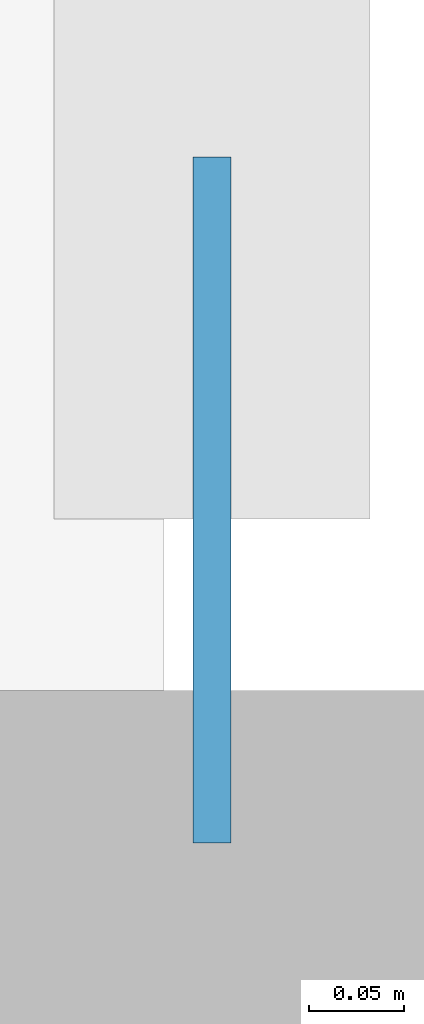
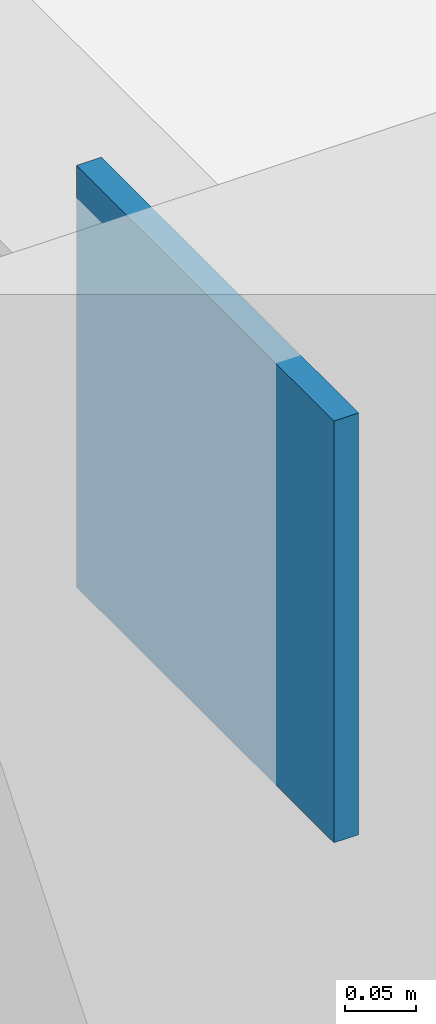
# One storey, part 47 of 85: 1 plate.
"""IFC4 building model written with IfcOpenShell, lengths in metres."""

import ifcopenshell
import ifcopenshell.guid

model = None  # the IFC model being written
_history = None  # IfcOwnerHistory: only IFC2X3 demands one
_inside = {}  # id of a spatial element -> (the spatial element, [elements in it])
_under = {}  # id of a project, library or spatial element -> (it, [spatial elements below it])
_declared = {}  # id of a project -> (the project, [libraries it declares])
_typed = {}  # id of a type object -> (the type object, [elements of that type])
_made_of = {}  # id of a material, layer set ... -> (it, [elements and type objects made of it])


def new_model(schema):
    """Start an empty IFC model of exactly this schema.

    Asked for "IFC4X3", IfcOpenShell would pick the latest addendum, in which some entities
    have other attributes; the version numbers below select the first issue.
    IFC2X3 requires an IfcOwnerHistory on every rooted entity: one is made here for all.
    """
    global model, _history
    if schema == "IFC4X3":
        model = ifcopenshell.file(schema_version=(4, 3, 0, 0))
    else:
        model = ifcopenshell.file(schema=schema)
    _inside.clear()
    _under.clear()
    _declared.clear()
    _typed.clear()
    _made_of.clear()
    _history = None
    if model.schema == "IFC2X3":
        org = make("IfcOrganization", Name="unknown")
        user = make(
            "IfcPersonAndOrganization",
            ThePerson=make("IfcPerson", FamilyName="unknown"),
            TheOrganization=org,
        )
        app = make(
            "IfcApplication",
            ApplicationDeveloper=org,
            Version="unknown",
            ApplicationFullName="unknown",
            ApplicationIdentifier="unknown",
        )
        _history = make(
            "IfcOwnerHistory",
            OwningUser=user,
            OwningApplication=app,
            ChangeAction="ADDED",
            CreationDate=0,
        )
    return model


def make(cls, **values):
    """One entity of the class cls with the attributes given. An attribute that is None is left unset."""
    return model.create_entity(
        cls, **{name: value for name, value in values.items() if value is not None}
    )


def rooted(cls, **values):
    """An entity with a GlobalId (a new one), such as an element, a storey or a relation."""
    return make(cls, GlobalId=ifcopenshell.guid.new(), OwnerHistory=_history, **values)


def si_unit(unit_type, name, prefix=None):
    """IfcSIUnit, for example si_unit("LENGTHUNIT", "METRE", prefix="MILLI")."""
    return make("IfcSIUnit", UnitType=unit_type, Prefix=prefix, Name=name)


def assignment(units):
    """IfcUnitAssignment: the units of a project."""
    return None if units is None else make("IfcUnitAssignment", Units=units)


def point(xyz):
    """IfcCartesianPoint."""
    return None if xyz is None else make("IfcCartesianPoint", Coordinates=xyz)


def direction(xyz):
    """IfcDirection."""
    return None if xyz is None else make("IfcDirection", DirectionRatios=xyz)


def frame(location, z_axis=None, x_axis=None):
    """IfcAxis2Placement3D, a coordinate frame: its origin and axes. An axis left out is left unset."""
    return make(
        "IfcAxis2Placement3D",
        Location=point(location),
        Axis=direction(z_axis),
        RefDirection=direction(x_axis),
    )


def frame_2d(location, x_axis=None):
    """IfcAxis2Placement2D, a coordinate frame in the plane: its origin and x axis."""
    return make(
        "IfcAxis2Placement2D", Location=point(location), RefDirection=direction(x_axis)
    )


def origin():
    """The frame at (0, 0, 0) with its axes left unset."""
    return frame((0.0, 0.0, 0.0))


def origin_2d():
    """The frame at (0, 0) in the plane with its x axis left unset."""
    return frame_2d((0.0, 0.0))


def place(relative_to, where):
    """IfcLocalPlacement: puts the frame where relative to a parent placement (None: the world)."""
    return make(
        "IfcLocalPlacement", PlacementRelTo=relative_to, RelativePlacement=where
    )


def context(
    kind, dimensions, precision=None, world=None, true_north=None, identifier=None
):
    """IfcGeometricRepresentationContext, for example the 3D "Model" context."""
    return make(
        "IfcGeometricRepresentationContext",
        ContextIdentifier=identifier,
        ContextType=kind,
        CoordinateSpaceDimension=dimensions,
        Precision=precision,
        WorldCoordinateSystem=world,
        TrueNorth=true_north,
    )


def subcontext(parent, identifier, kind, view, scale=None):
    """IfcGeometricRepresentationSubContext, for example "Body" below "Model"."""
    return make(
        "IfcGeometricRepresentationSubContext",
        ContextIdentifier=identifier,
        ContextType=kind,
        ParentContext=parent,
        TargetScale=scale,
        TargetView=view,
    )


def project(units=None, contexts=None):
    """IfcProject with its units and contexts."""
    return rooted(
        "IfcProject",
        Name="project",
        RepresentationContexts=contexts,
        UnitsInContext=assignment(units),
    )


def spatial(cls, under=None, at=None, **own):
    """A site, building, storey or space (cls), placed at a placement, below another one or the project."""
    s = rooted(cls, ObjectPlacement=at, **own)
    if under is not None:
        _under.setdefault(under.id(), (under, []))[1].append(s)
    return s


def profile(cls, at=None, kind="AREA", **sizes):
    """A parametric profile (cls). Its sizes go by their IFC names, for example OverallWidth=200.0."""
    return make(cls, ProfileType=kind, Position=at, **sizes)


def rectangle(**sizes):
    """IfcRectangleProfileDef."""
    return profile("IfcRectangleProfileDef", **sizes)


def extrude(swept, where, along, depth):
    """IfcExtrudedAreaSolid: the profile swept, set in the frame where, extruded along a direction by depth."""
    return make(
        "IfcExtrudedAreaSolid",
        SweptArea=swept,
        Position=where,
        ExtrudedDirection=direction(along),
        Depth=depth,
    )


def shape(context_of_items, identifier, shape_type, items):
    """IfcShapeRepresentation: the items that make up one representation, for example the "Body"."""
    return make(
        "IfcShapeRepresentation",
        ContextOfItems=context_of_items,
        RepresentationIdentifier=identifier,
        RepresentationType=shape_type,
        Items=items,
    )


def material(Name=None, Category=None):
    """IfcMaterial."""
    return make("IfcMaterial", Name=Name, Category=Category)


def layer(
    of_material, thickness, ventilated=None, Name=None, Category=None, Priority=None
):
    """IfcMaterialLayer: one layer of a wall or slab, of a material (None: an air gap)."""
    return make(
        "IfcMaterialLayer",
        Material=of_material,
        LayerThickness=thickness,
        IsVentilated=ventilated,
        Name=Name,
        Category=Category,
        Priority=Priority,
    )


def layer_set(layers, Name=None):
    """IfcMaterialLayerSet."""
    return make("IfcMaterialLayerSet", MaterialLayers=layers, LayerSetName=Name)


def made_of(thing, what):
    """Note that an element or type object is made of a material, layer set ...; save() writes the relation."""
    if what is not None:
        _made_of.setdefault(what.id(), (what, []))[1].append(thing)
    return thing


def type_object(cls, material=None, **own):
    """A type object (cls), such as IfcWallType, which elements share."""
    return made_of(rooted(cls, **own), material)


def element(
    cls,
    number,
    at=None,
    inside=None,
    cuts=None,
    type_object=None,
    material=None,
    context=None,
    identifier="Body",
    shape_type=None,
    held_by="IfcProductDefinitionShape",
    body=None,
    shapes=None,
    **own,
):
    """One element of the class cls, such as IfcWall. Its Tag is "e" and its number.

    at: its placement. inside: the storey or other place that contains it. cuts: it is an
    opening in that element (IfcRelVoidsElement). A single representation is given by context,
    identifier, shape_type and body (its items); several are given by shapes. held_by: the class
    of the entity that holds the representations. save() writes the other relations.
    """
    e = rooted(cls, Tag="e%d" % number, ObjectPlacement=at, **own)
    if body is not None:
        shapes = [shape(context, identifier, shape_type, body)]
    if shapes is not None:
        e.Representation = make(held_by, Representations=shapes)
    if inside is not None:
        _inside.setdefault(inside.id(), (inside, []))[1].append(e)
    if cuts is not None:
        rooted(
            "IfcRelVoidsElement", RelatingBuildingElement=cuts, RelatedOpeningElement=e
        )
    if type_object is not None:
        _typed.setdefault(type_object.id(), (type_object, []))[1].append(e)
    return made_of(e, material)


def aggregate(whole, parts):
    """IfcRelAggregates: a whole, such as a stair, and the parts it consists of."""
    return rooted("IfcRelAggregates", RelatingObject=whole, RelatedObjects=parts)


def save(model, path):
    """Write the relations noted so far, then the file.

    IfcRelAggregates (storeys below a building ...), IfcRelContainedInSpatialStructure (elements
    in a storey), IfcRelDefinesByType, IfcRelAssociatesMaterial and IfcRelDeclares: one each for
    every whole, place, type object, material and project.
    """
    for whole, parts in _under.values():
        aggregate(whole, parts)
    for where, things in _inside.values():
        rooted(
            "IfcRelContainedInSpatialStructure",
            RelatedElements=things,
            RelatingStructure=where,
        )
    for kind, things in _typed.values():
        rooted("IfcRelDefinesByType", RelatedObjects=things, RelatingType=kind)
    for what, things in _made_of.values():
        rooted("IfcRelAssociatesMaterial", RelatedObjects=things, RelatingMaterial=what)
    for by, libraries in _declared.values():
        rooted("IfcRelDeclares", RelatingContext=by, RelatedDefinitions=libraries)
    model.write(path)


model = new_model("IFC4")

# Units and contexts
model_context = context("Model", 3, precision=1e-05, world=origin(), true_north=direction((0.0, 1.0)))
body_context = subcontext(model_context, "Body", "Model", "MODEL_VIEW")
ifc_project = project(units=[si_unit("LENGTHUNIT", "METRE"), si_unit("AREAUNIT", "SQUARE_METRE"), si_unit("VOLUMEUNIT", "CUBIC_METRE"), si_unit("PLANEANGLEUNIT", "RADIAN"), si_unit("MASSUNIT", "GRAM", prefix="KILO")], contexts=[model_context])

# Site, building, storey
site_placement = place(None, origin())
site = spatial("IfcSite", under=ifc_project, at=site_placement, CompositionType="ELEMENT")
building_placement = place(site_placement, origin())
building = spatial("IfcBuilding", under=site, at=building_placement, Name="Ochrevale Crest", CompositionType="ELEMENT")
storey_placement = place(building_placement, origin())
storey = spatial("IfcBuildingStorey", under=building, at=storey_placement, Name="L00", CompositionType="ELEMENT", Elevation=0.0)

# Plate
ifc_material = material(Name="Steel S355", Category="steel")
ifc_layer = layer(ifc_material, 0.02001953125)
ifc_layer_set = layer_set([ifc_layer], Name="Steel S355")
plate_type = type_object("IfcPlateType", Name="PLT-GUSSET-20", PredefinedType="USERDEFINED", material=ifc_layer_set)
plate_placement = place(storey_placement, frame((57.60009765625, 43.550048828125, 4.27001953125), z_axis=(0.0, 0.0, 1.0), x_axis=(1.0, 0.0, 0.0)))
element("IfcPlate", 1, at=plate_placement, inside=storey, type_object=plate_type, Name="Vault tie-beam springing gusset plate 1-S", ObjectType="GUSSET PLATE", PredefinedType="USERDEFINED", context=body_context, shape_type="SweptSolid", body=[
    extrude(rectangle(XDim=0.02001953125, YDim=0.360107421875, at=origin_2d()), origin(), (0.0, 0.0, 1.0), 0.360107421875),
])

save(model, "model.ifc")
